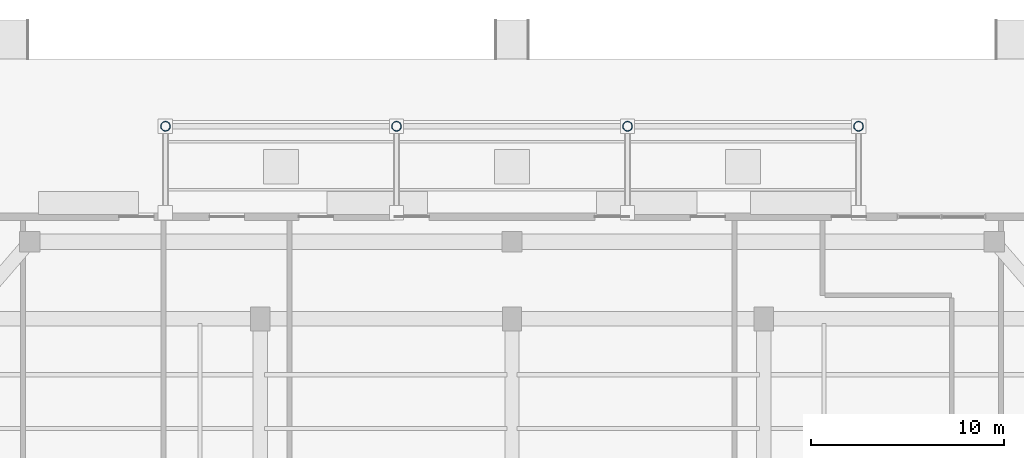
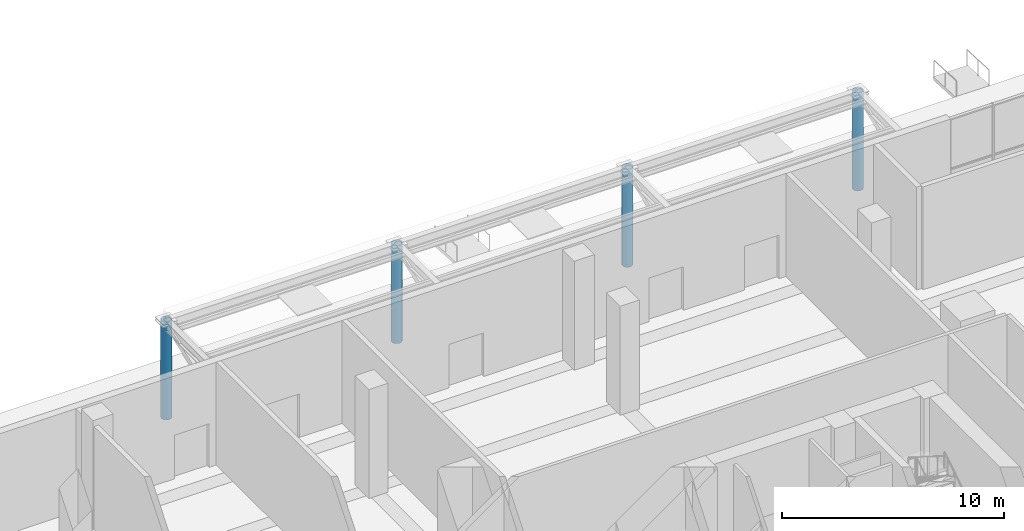
# One storey, part 3 of 25: 4 columns.
"""IFC4 building model written with IfcOpenShell, lengths in metres."""

from ifc_helpers import new_model, si_unit, direction, frame, origin, origin_2d, place, context, subcontext, project, spatial, hollow_circle, extrude, source, transform, mapped, material, material_profile, profile_set, type_object, element, save


model = new_model("IFC4")

# Units and contexts
model_context = context("Model", 3, precision=1e-05, world=origin(), true_north=direction((0.0, 1.0)))
body_context = subcontext(model_context, "Body", "Model", "MODEL_VIEW")
ifc_project = project(units=[si_unit("LENGTHUNIT", "METRE"), si_unit("AREAUNIT", "SQUARE_METRE"), si_unit("VOLUMEUNIT", "CUBIC_METRE"), si_unit("PLANEANGLEUNIT", "RADIAN"), si_unit("MASSUNIT", "GRAM", prefix="KILO"), si_unit("THERMODYNAMICTEMPERATUREUNIT", "KELVIN")], contexts=[model_context])

# Site, building, storey
site_placement = place(None, origin())
site = spatial("IfcSite", under=ifc_project, at=site_placement, CompositionType="ELEMENT")
building_placement = place(site_placement, origin())
building = spatial("IfcBuilding", under=site, at=building_placement, Name="Kosmvard Interchange Tower", CompositionType="ELEMENT")
storey_placement = place(building_placement, origin())
storey = spatial("IfcBuildingStorey", under=building, at=storey_placement, Name="L00", CompositionType="ELEMENT", Elevation=0.0)

# Columns
ifc_material = material(Name="Steel S355", Category="steel")
ifc_material_profile = material_profile(ifc_material, hollow_circle(Radius=0.25390625, WallThickness=0.02490234375, at=origin_2d()), Name="CHS 508x25")
ifc_profile_set = profile_set([ifc_material_profile], Name="Steel S355")
column_type = type_object("IfcColumnType", Name="Entrance Canopy Steel Column CHS 508x25 S355", PredefinedType="COLUMN", material=ifc_profile_set)
shared_shape = source(origin(), body_context, "Body", "SweptSolid", [
    extrude(hollow_circle(Radius=0.25390625, WallThickness=0.02490234375, at=origin_2d()), origin(), (0.0, 0.0, 1.0), 5.389892578125),
])
for number, where, z_axis, x_axis, name in (
    (1, (-18.0, 31.5, -0.39990234375), (0.0, 0.0, 1.0), (1.0, 0.0, 0.0), "L00 Canopy Column N1"),
    (2, (-6.0, 31.5, -0.39990234375), (0.0, 0.0, 1.0), (1.0, 0.0, 0.0), "L00 Canopy Column N2"),
    (3, (6.0, 31.5, -0.39990234375), (0.0, 0.0, 1.0), (1.0, 0.0, 0.0), "L00 Canopy Column N3"),
    (4, (18.0, 31.5, -0.39990234375), (0.0, 0.0, 1.0), (1.0, 0.0, 0.0), "L00 Canopy Column N4"),
):
    element("IfcColumn", number, at=place(storey_placement, frame(where, z_axis=z_axis, x_axis=x_axis)), inside=storey, type_object=column_type, Name=name, PredefinedType="COLUMN", context=body_context, shape_type="MappedRepresentation", body=[
        mapped(shared_shape, transform((0.0, 0.0, 0.0), scale=1.0)),
    ])

save(model, "model.ifc")
